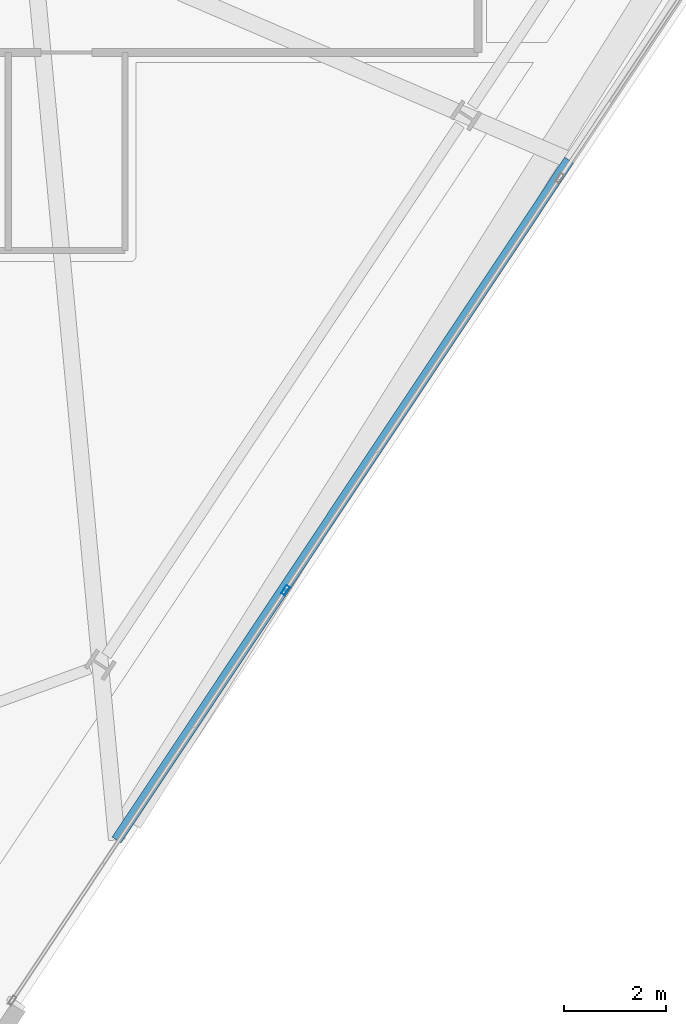
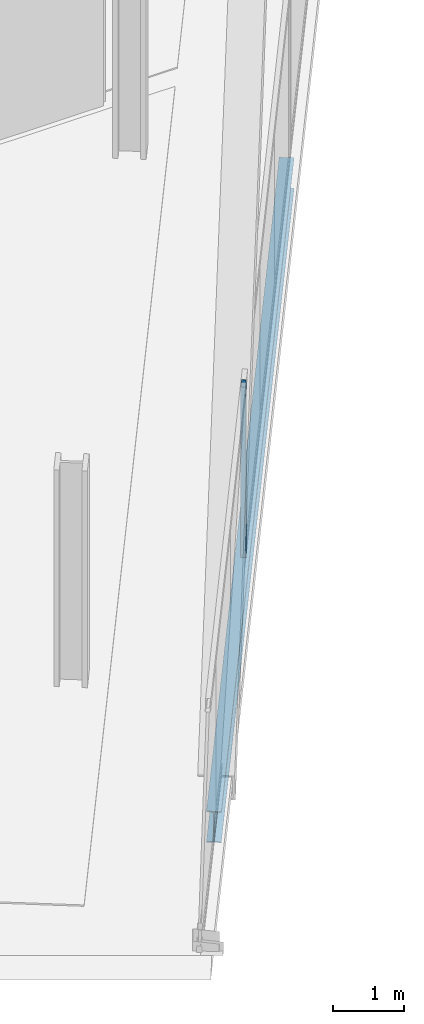
# One storey, part 9 of 32: 1 beam, 1 member, 1 element without a shape of its own.
"""IFC4 building model written with IfcOpenShell, lengths in metres."""

from ifc_helpers import new_model, si_unit, direction, frame, origin, origin_2d, place, context, subcontext, project, spatial, hollow_rectangle, i_section, extrude, material, material_profile, profile_set, type_object, element, aggregate, save


model = new_model("IFC4")

# Units and contexts
model_context = context("Model", 3, precision=1e-05, world=origin(), true_north=direction((0.0, 1.0)))
body_context = subcontext(model_context, "Body", "Model", "MODEL_VIEW")
ifc_project = project(units=[si_unit("LENGTHUNIT", "METRE"), si_unit("AREAUNIT", "SQUARE_METRE"), si_unit("VOLUMEUNIT", "CUBIC_METRE"), si_unit("PLANEANGLEUNIT", "RADIAN"), si_unit("MASSUNIT", "GRAM", prefix="KILO")], contexts=[model_context])

# Site, building, storey
site_placement = place(None, origin())
site = spatial("IfcSite", under=ifc_project, at=site_placement, CompositionType="ELEMENT")
building_placement = place(site_placement, origin())
building = spatial("IfcBuilding", under=site, at=building_placement, Name="Haldenkirk Collegiate Tower", CompositionType="ELEMENT")
storey_placement = place(building_placement, frame((0.0, 0.0, 217.199951171875)))
storey = spatial("IfcBuildingStorey", under=building, at=storey_placement, Name="L54", CompositionType="ELEMENT", Elevation=217.199951171875)

# Beam
ifc_material_1 = material(Name="Steel ASTM A992 Grade 50", Category="steel")
ifc_material_profile_1 = material_profile(ifc_material_1, i_section(OverallWidth=0.2099609375, OverallDepth=0.537109375, WebThickness=0.010986328125, FlangeThickness=0.017333984375, at=origin_2d()), Name="W21X68")
ifc_profile_set_1 = profile_set([ifc_material_profile_1], Name="Steel ASTM A992 Grade 50")
beam_type = type_object("IfcBeamType", Name="BM-SPANDREL-W21X68", PredefinedType="SPANDREL", material=ifc_profile_set_1)
beam_placement = place(storey_placement, frame((46.68701171875, 0.0419921875, -0.54833984375), z_axis=(0.554115077826, 0.832440076237, 0.0), x_axis=(-0.832440076237, 0.554115077826, 0.0)))
element("IfcBeam", 1, at=beam_placement, inside=storey, type_object=beam_type, Name="L54 outer facade edge beam 1A", PredefinedType="SPANDREL", context=body_context, shape_type="SweptSolid", body=[
    extrude(i_section(OverallWidth=0.2099609375, OverallDepth=0.537109375, WebThickness=0.010986328125, FlangeThickness=0.017333984375, at=origin_2d()), origin(), (0.0, 0.0, 1.0), 16.083984375),
])

# Curtain wall, member
ifc_material_2 = material(Name="Anodised architectural bronze aluminium", Category="aluminium")
curtain_wall_type = type_object("IfcCurtainWallType", Name="CW-SYS2-CONCAVE", PredefinedType="USERDEFINED", material=ifc_material_2)
curtain_wall_placement = place(storey_placement, origin())
curtain_wall = element("IfcCurtainWall", 2, at=curtain_wall_placement, inside=storey, type_object=curtain_wall_type, Name="L54 South concave recessed bronze-anodised curtain wall", ObjectType="UNITISED CURTAIN WALL", PredefinedType="USERDEFINED")
ifc_material_profile_2 = material_profile(ifc_material_2, hollow_rectangle(XDim=0.074951171875, YDim=0.18994140625, WallThickness=0.0048828125, at=origin_2d()), Name="CW-MUL-02")
ifc_profile_set_2 = profile_set([ifc_material_profile_2], Name="Anodised architectural bronze aluminium")
member_type = type_object("IfcMemberType", Name="CW-MUL-02", PredefinedType="MULLION", material=ifc_profile_set_2)
member_placement = place(storey_placement, frame((50.009765625, 4.961669921875, 0.0), z_axis=(0.0, 0.0, 1.0), x_axis=(0.832438256204, -0.55411781203, 0.0)))
member = element("IfcMember", 3, at=member_placement, type_object=member_type, Name="CW-02 mullion 4", PredefinedType="MULLION", context=body_context, shape_type="SweptSolid", body=[
    extrude(hollow_rectangle(XDim=0.074951171875, YDim=0.18994140625, WallThickness=0.0048828125, at=origin_2d()), origin(), (0.0, 0.0, 1.0), 2.927978515625),
])
aggregate(curtain_wall, [member])

save(model, "model.ifc")
